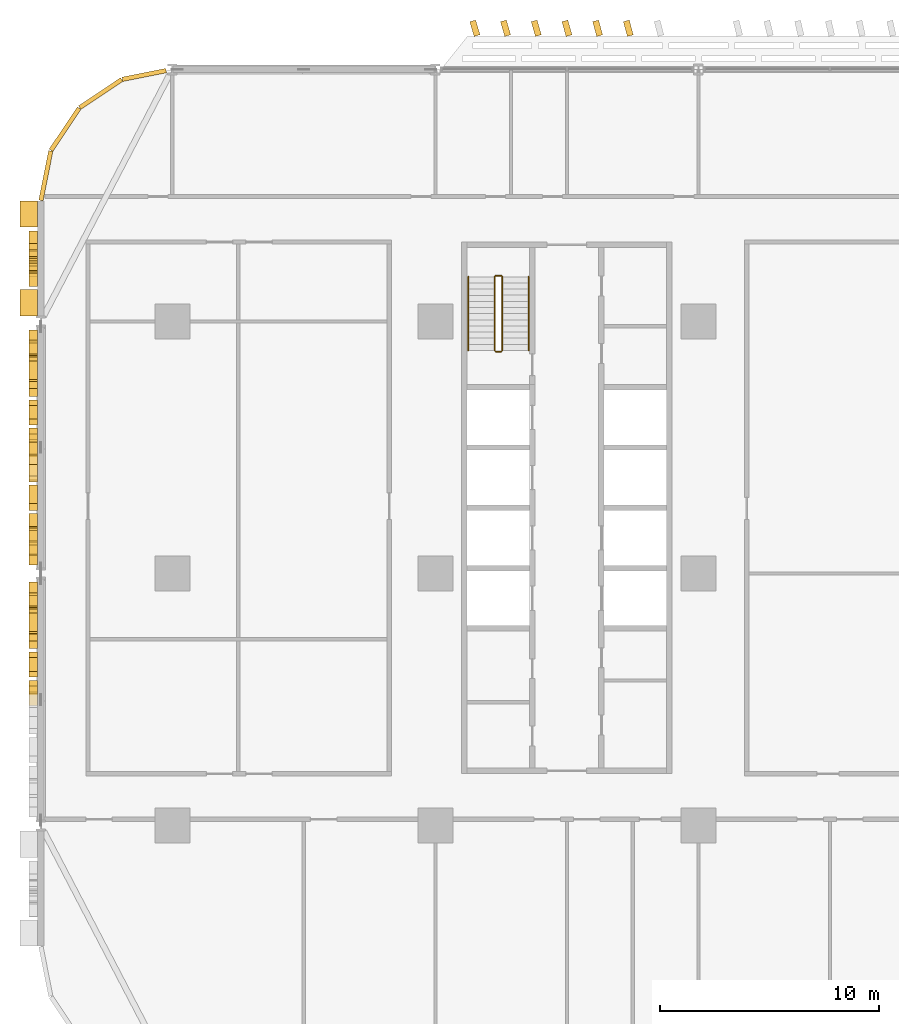
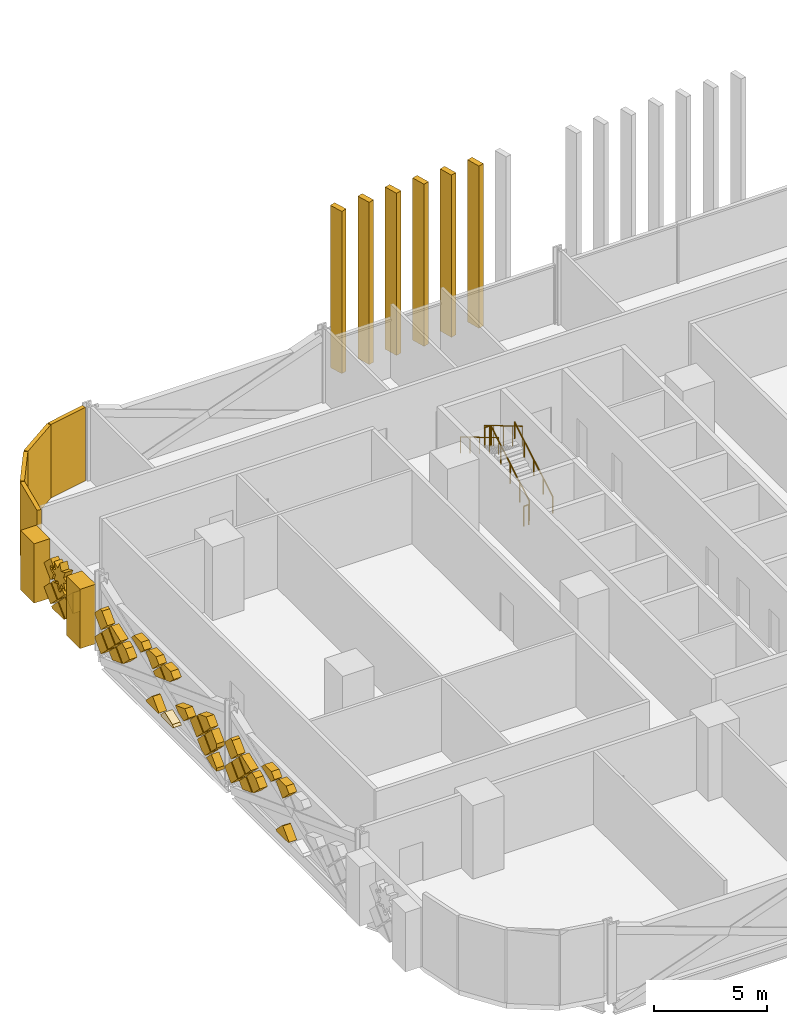
# One storey, part 25 of 31: 46 coverings, 6 railings.
"""IFC4 building model written with IfcOpenShell, lengths in metres."""

from ifc_helpers import new_model, si_unit, direction, frame, origin, origin_2d, place, context, subcontext, project, spatial, polyline, rectangle, circle, outline, extrude, material, layer, layer_set, type_object, element, save


model = new_model("IFC4")

# Units and contexts
model_context = context("Model", 3, precision=1e-05, world=origin(), true_north=direction((0.0, 1.0)))
body_context = subcontext(model_context, "Body", "Model", "MODEL_VIEW")
ifc_project = project(units=[si_unit("LENGTHUNIT", "METRE"), si_unit("AREAUNIT", "SQUARE_METRE"), si_unit("VOLUMEUNIT", "CUBIC_METRE"), si_unit("PLANEANGLEUNIT", "RADIAN"), si_unit("MASSUNIT", "GRAM", prefix="KILO")], contexts=[model_context])

# Site, building, storey
site_placement = place(None, origin())
site = spatial("IfcSite", under=ifc_project, at=site_placement, CompositionType="ELEMENT")
building_placement = place(site_placement, origin())
building = spatial("IfcBuilding", under=site, at=building_placement, Name="Mahtab Terrace Research Tower", CompositionType="ELEMENT")
storey_placement = place(building_placement, frame((0.0, 0.0, 11.5)))
storey = spatial("IfcBuildingStorey", under=building, at=storey_placement, Name="L02", CompositionType="ELEMENT", Elevation=11.5)

# Coverings
ifc_material_1 = material(Name="Black aluminium cladding panel", Category="aluminium")
ifc_layer_1 = layer(ifc_material_1, 0.199951171875)
ifc_layer_set_1 = layer_set([ifc_layer_1], Name="Black metal corner cladding 200")
covering_type_1 = type_object("IfcCoveringType", Name="Black metal corner cladding 200", PredefinedType="CLADDING", material=ifc_layer_set_1)
covering_1_placement = place(storey_placement, frame((-43.28173828125, 22.744873046875, 0.0), z_axis=(0.0, 0.0, 1.0), x_axis=(-0.980760981187, -0.195212442692, 0.0)))
element("IfcCovering", 1, at=covering_1_placement, inside=storey, type_object=covering_type_1, Name="Corner cladding L02 10", PredefinedType="CLADDING", context=body_context, shape_type="SweptSolid", body=[
    extrude(rectangle(XDim=2.0283203125, YDim=0.199951171875, at=origin_2d()), origin(), (0.0, 0.0, 1.0), 3.9599609375),
])
for number, where, z_axis, x_axis, name in (
    (2, (-45.26953125, 21.89306640625, 0.0), (0.0, 0.0, 1.0), (-0.831655794326, -0.555291490808, 0.0), "Corner cladding L02 11"),
    (3, (-46.89306640625, 20.26953125, 0.0), (0.0, 0.0, 1.0), (-0.555291490808, -0.831655794326, 0.0), "Corner cladding L02 12"),
    (4, (-47.771484375, 18.14794921875, 0.0), (0.0, 0.0, 1.0), (-0.195212442692, -0.980760981187, 0.0), "Corner cladding L02 13"),
):
    element("IfcCovering", number, at=place(storey_placement, frame(where, z_axis=z_axis, x_axis=x_axis)), inside=storey, type_object=covering_type_1, Name=name, PredefinedType="CLADDING", context=body_context, shape_type="SweptSolid", body=[
        extrude(rectangle(XDim=2.30126953125, YDim=0.199951171875, at=origin_2d()), origin(), (0.0, 0.0, 1.0), 3.9599609375),
    ])
ifc_material_2 = material(Name="Bronze anodised aluminium", Category="aluminium")
ifc_layer_2 = layer(ifc_material_2, 0.39990234375)
ifc_layer_set_2 = layer_set([ifc_layer_2], Name="Mashrabiya relief panel 400")
covering_type_2 = type_object("IfcCoveringType", Name="Mashrabiya relief panel 400", PredefinedType="CLADDING", material=ifc_layer_set_2)
covering_2_placement = place(storey_placement, frame((-48.14990234375, 14.10498046875, 2.60107421875), z_axis=(1.0, 0.0, 0.0), x_axis=(0.0, -0.924784909208, 0.380490304346)))
element("IfcCovering", 5, at=covering_2_placement, inside=storey, type_object=covering_type_2, Name="Girih star panel L02 W14.1", PredefinedType="CLADDING", context=body_context, shape_type="SweptSolid", body=[
    extrude(outline(polyline([(0.0, 0.0), (0.3785719822676483, 0.0), (0.11215445471266995, 0.26895807623038387), (0.37961207055159285, 0.5358142483447127), (0.0017974035497291263, 0.5371818243111587), (0.0017974035497291263, 0.9157538065788071), (-0.26716067268065474, 0.6493362790238286), (-0.5340168447949836, 0.9167938948627515), (-0.5353844207614296, 0.5389792278608878), (-0.9139564030290779, 0.5389792278608878), (-0.6475388754740995, 0.270021151630504), (-0.9149964913130224, 0.0031649795161750593), (-0.5371818243111587, 0.0017974035497291263), (-0.5371818243111587, -0.3767745787179192), (-0.2682237480807748, -0.11035705116294083), (-0.0013675759664459608, -0.3778146670018637), (0.0, 0.0)])), origin(), (0.0, 0.0, -1.0), 0.39990234375),
])
covering_3_placement = place(storey_placement, frame((-48.14990234375, 15.050048828125, 1.429931640625), z_axis=(1.0, 0.0, 0.0), x_axis=(0.0, -0.707255598772, -0.706957932274)))
element("IfcCovering", 6, at=covering_3_placement, inside=storey, type_object=covering_type_2, Name="Mashrabiya lattice cell L02 W14.2", PredefinedType="CLADDING", context=body_context, shape_type="SweptSolid", body=[
    extrude(outline(polyline([(0.0, 0.0), (0.8201817362875763, 0.0), (0.8200090664636573, 0.8203543334390104), (-0.00017259715143413956, 0.8200090664636573), (0.0, 0.0)])), origin(), (0.0, 0.0, -1.0), 0.39990234375),
])
covering_4_placement = place(storey_placement, frame((-48.14990234375, 15.050048828125, 1.570068359375), z_axis=(1.0, 0.0, 0.0), x_axis=(0.0, 0.707106781187, 0.707106781187)))
element("IfcCovering", 7, at=covering_4_placement, inside=storey, type_object=covering_type_2, Name="Mashrabiya lattice cell L02 W14.3", PredefinedType="CLADDING", context=body_context, shape_type="SweptSolid", body=[
    extrude(outline(polyline([(0.0, 0.0), (0.8200090846279543, 0.0), (0.820181718119455, 0.820181718119455), (0.4453944080716047, 0.8203543516109556), (0.5450039326674636, 0.5536356072424946), (0.5232521127383852, 0.47802213796522225), (0.4630030242046681, 0.42778579193854127), (0.37254307465834224, 0.4222615202105213), (0.13361832242148142, 0.5196268094168721), (0.035217232266126886, 0.28415472701002376), (-0.00017263349150062335, 0.24185952159237137), (0.0, 0.0)])), origin(), (0.0, 0.0, -1.0), 0.39990234375),
])
covering_5_placement = place(storey_placement, frame((-48.14990234375, 14.97998046875, 0.199951171875), z_axis=(1.0, 0.0, 0.0), x_axis=(0.0, -0.707106781187, 0.707106781187)))
element("IfcCovering", 8, at=covering_5_placement, inside=storey, type_object=covering_type_2, Name="Mashrabiya lattice cell L02 W14.4", PredefinedType="CLADDING", context=body_context, shape_type="SweptSolid", body=[
    extrude(outline(polyline([(0.0, 0.0), (0.8203543516109556, 0.0), (0.820181718119455, 0.820181718119455), (0.7283407006411241, 0.820181718119455), (0.0, 0.09184101747833089), (0.0, 0.0)])), origin(), (0.0, 0.0, -1.0), 0.39990234375),
])
covering_6_placement = place(storey_placement, frame((-48.14990234375, 13.820068359375, 1.5), z_axis=(1.0, 0.0, 0.0), x_axis=(0.0, 0.706957932274, -0.707255598772)))
element("IfcCovering", 9, at=covering_6_placement, inside=storey, type_object=covering_type_2, Name="Mashrabiya lattice cell L02 W14.5", PredefinedType="CLADDING", context=body_context, shape_type="SweptSolid", body=[
    extrude(outline(polyline([(0.0, 0.0), (0.8201817362875763, 0.0), (0.8200090664636573, 0.8203543334390104), (0.6080151435968424, 0.8203097125333344), (0.586621090792337, 0.7609192870785395), (0.5470963431139162, 0.7213778974010961), (0.30042529066822354, 0.6158469119403185), (0.3978408670772946, 0.3769426586366778), (0.3888849280662249, 0.2771586132750213), (0.334344518902972, 0.22121388101521539), (0.2573533990060128, 0.2049701272095052), (-0.00023662161055562625, 0.30400753546217874), (0.0, 0.0)])), origin(), (0.0, 0.0, -1.0), 0.39990234375),
])
covering_7_placement = place(storey_placement, frame((-48.14990234375, 13.75, 1.429931640625), z_axis=(1.0, 0.0, 0.0), x_axis=(0.0, -0.707255598772, -0.706957932274)))
element("IfcCovering", 10, at=covering_7_placement, inside=storey, type_object=covering_type_2, Name="Mashrabiya lattice cell L02 W14.6", PredefinedType="CLADDING", context=body_context, shape_type="SweptSolid", body=[
    extrude(outline(polyline([(0.0, 0.0), (0.8201817362875763, 0.0), (0.8200090664636573, 0.8203543334390104), (-0.0003452669753531423, 0.8201816636150915), (0.0, 0.0)])), origin(), (0.0, 0.0, -1.0), 0.39990234375),
])
covering_8_placement = place(storey_placement, frame((-48.14990234375, 13.10009765625, 0.919921875), z_axis=(1.0, 0.0, 0.0), x_axis=(0.0, 0.706957932274, 0.707255598772)))
element("IfcCovering", 11, at=covering_8_placement, inside=storey, type_object=covering_type_2, Name="Mashrabiya lattice cell L02 W14.7", PredefinedType="CLADDING", context=body_context, shape_type="SweptSolid", body=[
    extrude(outline(polyline([(0.0, 0.0), (0.8201817362875763, 0.0), (0.8205270032629295, 0.8201816636150915), (0.7977393828896235, 0.8201864599990892), (4.796383997748149e-06, 0.022787620373305846), (0.0, 0.0)])), origin(), (0.0, 0.0, -1.0), 0.39990234375),
])
covering_9_placement = place(storey_placement, frame((-48.14990234375, 10.60107421875, 1.429931640625), z_axis=(1.0, 0.0, 0.0), x_axis=(0.0, -0.707255598772, -0.706957932274)))
element("IfcCovering", 12, at=covering_9_placement, inside=storey, type_object=covering_type_2, Name="Mashrabiya lattice cell L02 W15.1", PredefinedType="CLADDING", context=body_context, shape_type="SweptSolid", body=[
    extrude(outline(polyline([(0.0, 0.0), (0.8201817362875763, 0.0), (0.8200090664636573, 0.8203543334390104), (0.09184101544392964, 0.8202010671685369), (-0.0001532662704735177, 0.7281680510197277), (0.0, 0.0)])), origin(), (0.0, 0.0, -1.0), 0.39990234375),
])
covering_10_placement = place(storey_placement, frame((-48.14990234375, 10.02099609375, 2.14990234375), z_axis=(1.0, 0.0, 0.0), x_axis=(0.0, 0.707255598772, -0.706957932274)))
element("IfcCovering", 13, at=covering_10_placement, inside=storey, type_object=covering_type_2, Name="Mashrabiya lattice cell L02 W15.2", PredefinedType="CLADDING", context=body_context, shape_type="SweptSolid", body=[
    extrude(outline(polyline([(0.0, 0.0), (0.8201817362875763, 0.0), (0.8203350025580498, 0.7281680510197277), (0.7283407208436468, 0.8202010671685369), (0.06093965748606789, 0.8203415430816832), (0.0001444002273262024, 0.6860454800266472), (0.0, 0.0)])), origin(), (0.0, 0.0, -1.0), 0.39990234375),
])
covering_11_placement = place(storey_placement, frame((-48.14990234375, 9.950927734375, 2.080078125), z_axis=(1.0, 0.0, 0.0), x_axis=(0.0, -0.706957932274, -0.707255598772)))
element("IfcCovering", 14, at=covering_11_placement, inside=storey, type_object=covering_type_2, Name="Mashrabiya lattice cell L02 W15.3", PredefinedType="CLADDING", context=body_context, shape_type="SweptSolid", body=[
    extrude(outline(polyline([(0.0, 0.0), (0.8201817362875763, 0.0), (0.8205270032629295, 0.8201816636150915), (0.00017266982391900276, 0.8203543334390104), (0.0, 0.0)])), origin(), (0.0, 0.0, -1.0), 0.39990234375),
])
covering_12_placement = place(storey_placement, frame((-48.14990234375, 9.881103515625, 0.85009765625), z_axis=(1.0, 0.0, 0.0), x_axis=(0.0, -0.707255598772, 0.706957932274)))
element("IfcCovering", 15, at=covering_12_placement, inside=storey, type_object=covering_type_2, Name="Mashrabiya lattice cell L02 W15.4", PredefinedType="CLADDING", context=body_context, shape_type="SweptSolid", body=[
    extrude(outline(polyline([(0.0, 0.0), (0.8201817362875763, 0.0), (0.8205171924774795, 0.7735706219424204), (8.430008238469178e-05, 0.4005096914096179), (0.0, 0.0)])), origin(), (0.0, 0.0, -1.0), 0.39990234375),
])
covering_13_placement = place(storey_placement, frame((-48.14990234375, 9.301025390625, 1.570068359375), z_axis=(1.0, 0.0, 0.0), x_axis=(0.0, 0.707255598772, 0.706957932274)))
element("IfcCovering", 16, at=covering_13_placement, inside=storey, type_object=covering_type_2, Name="Mashrabiya lattice cell L02 W15.5", PredefinedType="CLADDING", context=body_context, shape_type="SweptSolid", body=[
    extrude(outline(polyline([(0.0, 0.0), (0.8201817362875763, 0.0), (0.8201272319239655, 0.2589502315148392), (-0.00013306331969514806, 0.6321838318715607), (0.0, 0.0)])), origin(), (0.0, 0.0, -1.0), 0.39990234375),
])
covering_14_placement = place(storey_placement, frame((-48.14990234375, 9.23095703125, 1.5), z_axis=(1.0, 0.0, 0.0), x_axis=(0.0, -0.707106781187, 0.707106781187)))
element("IfcCovering", 17, at=covering_14_placement, inside=storey, type_object=covering_type_2, Name="Mashrabiya lattice cell L02 W15.6", PredefinedType="CLADDING", context=body_context, shape_type="SweptSolid", body=[
    extrude(outline(polyline([(0.0, 0.0), (0.6774138206484406, 0.0), (0.820181718119455, 0.3126392531076264), (0.820181718119455, 0.820181718119455), (-0.0001726334915006511, 0.81880065018745), (0.0, 0.0)])), origin(), (0.0, 0.0, -1.0), 0.39990234375),
])
covering_15_placement = place(storey_placement, frame((-48.14990234375, 6.77099609375, 2.800048828125), z_axis=(1.0, 0.0, 0.0), x_axis=(0.0, 0.707106781187, -0.707106781187)))
element("IfcCovering", 18, at=covering_15_placement, inside=storey, type_object=covering_type_2, Name="Mashrabiya lattice cell L02 W15.7", PredefinedType="CLADDING", context=body_context, shape_type="SweptSolid", body=[
    extrude(outline(polyline([(0.0, 0.0), (0.4243331221085288, 0.0), (0.7977393642243741, 0.820181718119455), (0.4412512042755897, 0.8203543516109556), (0.0, 0.3791031473353658), (0.0, 0.0)])), origin(), (0.0, 0.0, -1.0), 0.39990234375),
])
covering_16_placement = place(storey_placement, frame((-48.14990234375, 6.631103515625, 0.199951171875), z_axis=(1.0, 0.0, 0.0), x_axis=(0.0, -0.707271781012, 0.70694174285)))
element("IfcCovering", 19, at=covering_16_placement, inside=storey, type_object=covering_type_2, Name="Mashrabiya lattice cell L02 W15.8", PredefinedType="CLADDING", context=body_context, shape_type="SweptSolid", body=[
    extrude(outline(polyline([(0.0, 0.0), (0.7397345312240962, 0.0), (0.8203629508740169, 0.03675211825696212), (0.8205457771897919, 0.8201628813534925), (0.7287047622124111, 0.8201843144958443), (0.0001941069170129303, 0.09201360817631885), (0.0, 0.0)])), origin(), (0.0, 0.0, -1.0), 0.39990234375),
])
covering_17_placement = place(storey_placement, frame((-48.14990234375, 5.470947265625, 2.800048828125), z_axis=(1.0, 0.0, 0.0), x_axis=(0.0, 0.707106781187, -0.707106781187)))
element("IfcCovering", 20, at=covering_17_placement, inside=storey, type_object=covering_type_2, Name="Mashrabiya lattice cell L02 W15.9", PredefinedType="CLADDING", context=body_context, shape_type="SweptSolid", body=[
    extrude(outline(polyline([(0.0, 0.0), (0.8203543516109556, 0.0), (0.8203543516109556, 0.8203543516109556), (0.4412512042755897, 0.8203543516109556), (0.0, 0.3791031473353658), (0.0, 0.0)])), origin(), (0.0, 0.0, -1.0), 0.39990234375),
])
covering_18_placement = place(storey_placement, frame((-48.14990234375, 5.98095703125, 2.14990234375), z_axis=(1.0, 0.0, 0.0), x_axis=(0.0, -0.707106781187, 0.707106781187)))
element("IfcCovering", 21, at=covering_18_placement, inside=storey, type_object=covering_type_2, Name="Mashrabiya lattice cell L02 W15.10", PredefinedType="CLADDING", context=body_context, shape_type="SweptSolid", body=[
    extrude(outline(polyline([(0.0, 0.0), (0.8203543516109556, 0.0), (0.8203543516109556, 0.6107772929292005), (0.06163015646572205, 0.2649924094534547), (0.00017263349150060947, 0.12999301909996835), (0.0, 0.0)])), origin(), (0.0, 0.0, -1.0), 0.39990234375),
])
covering_19_placement = place(storey_placement, frame((-48.14990234375, 5.3310546875, 0.199951171875), z_axis=(1.0, 0.0, 0.0), x_axis=(0.0, -0.707106781187, 0.707106781187)))
element("IfcCovering", 22, at=covering_19_placement, inside=storey, type_object=covering_type_2, Name="Mashrabiya lattice cell L02 W15.11", PredefinedType="CLADDING", context=body_context, shape_type="SweptSolid", body=[
    extrude(outline(polyline([(0.0, 0.0), (0.5147930716548547, 0.0), (0.820181718119455, 0.6703358474969151), (0.8203543516109556, 0.8203543516109556), (0.7283407006411241, 0.820181718119455), (0.0, 0.09184101747833089), (0.0, 0.0)])), origin(), (0.0, 0.0, -1.0), 0.39990234375),
])
covering_20_placement = place(storey_placement, frame((-48.14990234375, 5.3310546875, 2.800048828125), z_axis=(1.0, 0.0, 0.0), x_axis=(0.0, -0.707106781187, 0.707106781187)))
element("IfcCovering", 23, at=covering_20_placement, inside=storey, type_object=covering_type_2, Name="Mashrabiya lattice cell L02 W15.12", PredefinedType="CLADDING", context=body_context, shape_type="SweptSolid", body=[
    extrude(outline(polyline([(0.0, 0.0), (0.3791031473353658, 0.0), (0.8203543516109556, 0.4412512042755897), (0.8203543516109556, 0.8203543516109556), (0.3606313637447992, 0.820181718119455), (0.0, 0.6563525346853647), (0.0, 0.0)])), origin(), (0.0, 0.0, -1.0), 0.39990234375),
])
covering_21_placement = place(storey_placement, frame((-48.14990234375, 4.031005859375, 1.5), z_axis=(1.0, 0.0, 0.0), x_axis=(0.0, -0.93702826663, 0.349253529024)))
element("IfcCovering", 24, at=covering_21_placement, inside=storey, type_object=covering_type_2, Name="Mashrabiya lattice cell L02 W15.13", PredefinedType="CLADDING", context=body_context, shape_type="SweptSolid", body=[
    extrude(outline(polyline([(0.0, 0.0), (0.9017558308712423, -5.551115123125783e-17), (1.086870433291092, 0.40510339755721136), (0.553242009378479, 0.6491381405892371), (0.12814522477591145, 0.2804320418748758), (0.0, 0.0)])), origin(), (0.0, 0.0, -1.0), 0.39990234375),
])
covering_22_placement = place(storey_placement, frame((-48.14990234375, 2.15087890625, 2.080078125), z_axis=(1.0, 0.0, 0.0), x_axis=(0.0, -0.706957932274, -0.707255598772)))
element("IfcCovering", 25, at=covering_22_placement, inside=storey, type_object=covering_type_2, Name="Mashrabiya lattice cell L02 W15.14", PredefinedType="CLADDING", context=body_context, shape_type="SweptSolid", body=[
    extrude(outline(polyline([(0.0, 0.0), (0.8201817362875763, 0.0), (0.8205270032629295, 0.8201816636150915), (0.00017266982391900276, 0.8203543334390104), (0.0, 0.0)])), origin(), (0.0, 0.0, -1.0), 0.39990234375),
])
covering_23_placement = place(storey_placement, frame((-48.14990234375, 2.0810546875, 0.85009765625), z_axis=(1.0, 0.0, 0.0), x_axis=(0.0, -0.707255598772, 0.706957932274)))
element("IfcCovering", 26, at=covering_23_placement, inside=storey, type_object=covering_type_2, Name="Mashrabiya lattice cell L02 W15.15", PredefinedType="CLADDING", context=body_context, shape_type="SweptSolid", body=[
    extrude(outline(polyline([(0.0, 0.0), (0.8201817362875763, 0.0), (0.8205270032629295, 0.8201816636150915), (0.15139960502858502, 0.8203225028906618), (-6.991093039140917e-05, 0.4880349059978759), (0.0, 0.0)])), origin(), (0.0, 0.0, -1.0), 0.39990234375),
])
covering_24_placement = place(storey_placement, frame((-48.14990234375, 0.9208984375, 2.14990234375), z_axis=(1.0, 0.0, 0.0), x_axis=(0.0, 0.707255598772, -0.706957932274)))
element("IfcCovering", 27, at=covering_24_placement, inside=storey, type_object=covering_type_2, Name="Mashrabiya lattice cell L02 W15.16", PredefinedType="CLADDING", context=body_context, shape_type="SweptSolid", body=[
    extrude(outline(polyline([(0.0, 0.0), (0.8201817362875763, 0.0), (0.8205270032629295, 0.8201816636150915), (0.64236924398072, 0.8202191626172557), (0.00011104355679636413, 0.5275679383395656), (0.0, 0.0)])), origin(), (0.0, 0.0, -1.0), 0.39990234375),
])
covering_25_placement = place(storey_placement, frame((-48.14990234375, 0.85107421875, 0.780029296875), z_axis=(1.0, 0.0, 0.0), x_axis=(0.0, -0.707106781187, -0.707106781187)))
element("IfcCovering", 28, at=covering_25_placement, inside=storey, type_object=covering_type_2, Name="Mashrabiya lattice cell L02 W15.17", PredefinedType="CLADDING", context=body_context, shape_type="SweptSolid", body=[
    extrude(outline(polyline([(0.0, 0.0), (0.6604957384813797, 0.0), (0.786345553785333, 0.1258498153039534), (0.5303300858899107, 0.3818652831993758), (0.0, 0.6235521713002465), (0.0, 0.0)])), origin(), (0.0, 0.0, -1.0), 0.39990234375),
])
covering_26_placement = place(storey_placement, frame((-48.14990234375, 0.85107421875, 0.919921875), z_axis=(1.0, 0.0, 0.0), x_axis=(0.0, 0.706957932274, 0.707255598772)))
element("IfcCovering", 29, at=covering_26_placement, inside=storey, type_object=covering_type_2, Name="Mashrabiya lattice cell L02 W15.18", PredefinedType="CLADDING", context=body_context, shape_type="SweptSolid", body=[
    extrude(outline(polyline([(0.0, 0.0), (0.8201817362875763, 0.0), (0.8205270032629295, 0.8201816636150915), (0.16003127941241302, 0.8203206860785415), (0.00013902246344993374, 0.6604957238505165), (0.0, 0.0)])), origin(), (0.0, 0.0, -1.0), 0.39990234375),
])
covering_27_placement = place(storey_placement, frame((-48.14990234375, -0.89892578125, 1.429931640625), z_axis=(1.0, 0.0, 0.0), x_axis=(0.0, -0.707255598772, -0.706957932274)))
element("IfcCovering", 30, at=covering_27_placement, inside=storey, type_object=covering_type_2, Name="Mashrabiya lattice cell L02 W16.1", PredefinedType="CLADDING", context=body_context, shape_type="SweptSolid", body=[
    extrude(outline(polyline([(0.0, 0.0), (0.8201817362875763, 0.0), (0.8200090664636573, 0.8203543334390104), (0.09184101544392964, 0.8202010671685369), (-0.0001532662704735177, 0.7281680510197277), (0.0, 0.0)])), origin(), (0.0, 0.0, -1.0), 0.39990234375),
])
covering_28_placement = place(storey_placement, frame((-48.14990234375, -1.47900390625, 2.14990234375), z_axis=(1.0, 0.0, 0.0), x_axis=(0.0, 0.707255598772, -0.706957932274)))
element("IfcCovering", 31, at=covering_28_placement, inside=storey, type_object=covering_type_2, Name="Mashrabiya lattice cell L02 W16.2", PredefinedType="CLADDING", context=body_context, shape_type="SweptSolid", body=[
    extrude(outline(polyline([(0.0, 0.0), (0.8201817362875763, 0.0), (0.8203350025580498, 0.7281680510197277), (0.7283407208436468, 0.8202010671685369), (0.06093965748606789, 0.8203415430816832), (0.0001444002273262024, 0.6860454800266472), (0.0, 0.0)])), origin(), (0.0, 0.0, -1.0), 0.39990234375),
])
covering_29_placement = place(storey_placement, frame((-48.14990234375, -1.549072265625, 2.080078125), z_axis=(1.0, 0.0, 0.0), x_axis=(0.0, -0.706957932274, -0.707255598772)))
element("IfcCovering", 32, at=covering_29_placement, inside=storey, type_object=covering_type_2, Name="Mashrabiya lattice cell L02 W16.3", PredefinedType="CLADDING", context=body_context, shape_type="SweptSolid", body=[
    extrude(outline(polyline([(0.0, 0.0), (0.8201817362875763, 0.0), (0.8205270032629295, 0.8201816636150915), (0.00017266982391900276, 0.8203543334390104), (0.0, 0.0)])), origin(), (0.0, 0.0, -1.0), 0.39990234375),
])
covering_30_placement = place(storey_placement, frame((-48.14990234375, -1.618896484375, 0.85009765625), z_axis=(1.0, 0.0, 0.0), x_axis=(0.0, -0.707255598772, 0.706957932274)))
element("IfcCovering", 33, at=covering_30_placement, inside=storey, type_object=covering_type_2, Name="Mashrabiya lattice cell L02 W16.4", PredefinedType="CLADDING", context=body_context, shape_type="SweptSolid", body=[
    extrude(outline(polyline([(0.0, 0.0), (0.8201817362875763, 0.0), (0.8205171924774795, 0.7735706219424204), (8.430008238469178e-05, 0.4005096914096179), (0.0, 0.0)])), origin(), (0.0, 0.0, -1.0), 0.39990234375),
])
covering_31_placement = place(storey_placement, frame((-48.14990234375, -2.198974609375, 1.570068359375), z_axis=(1.0, 0.0, 0.0), x_axis=(0.0, 0.707255598772, 0.706957932274)))
element("IfcCovering", 34, at=covering_31_placement, inside=storey, type_object=covering_type_2, Name="Mashrabiya lattice cell L02 W16.5", PredefinedType="CLADDING", context=body_context, shape_type="SweptSolid", body=[
    extrude(outline(polyline([(0.0, 0.0), (0.8201817362875763, 0.0), (0.8201272319239655, 0.2589502315148392), (-0.00013306331969514806, 0.6321838318715607), (0.0, 0.0)])), origin(), (0.0, 0.0, -1.0), 0.39990234375),
])
covering_32_placement = place(storey_placement, frame((-48.14990234375, -2.26904296875, 1.5), z_axis=(1.0, 0.0, 0.0), x_axis=(0.0, -0.707106781187, 0.707106781187)))
element("IfcCovering", 35, at=covering_32_placement, inside=storey, type_object=covering_type_2, Name="Mashrabiya lattice cell L02 W16.6", PredefinedType="CLADDING", context=body_context, shape_type="SweptSolid", body=[
    extrude(outline(polyline([(0.0, 0.0), (0.6774138206484406, 0.0), (0.820181718119455, 0.3126392531076264), (0.820181718119455, 0.820181718119455), (-0.0001726334915006511, 0.81880065018745), (0.0, 0.0)])), origin(), (0.0, 0.0, -1.0), 0.39990234375),
])
covering_33_placement = place(storey_placement, frame((-48.14990234375, -4.72900390625, 2.800048828125), z_axis=(1.0, 0.0, 0.0), x_axis=(0.0, 0.707106781187, -0.707106781187)))
element("IfcCovering", 36, at=covering_33_placement, inside=storey, type_object=covering_type_2, Name="Mashrabiya lattice cell L02 W16.7", PredefinedType="CLADDING", context=body_context, shape_type="SweptSolid", body=[
    extrude(outline(polyline([(0.0, 0.0), (0.4243331221085288, 0.0), (0.7977393642243741, 0.820181718119455), (0.4412512042755897, 0.8203543516109556), (0.0, 0.3791031473353658), (0.0, 0.0)])), origin(), (0.0, 0.0, -1.0), 0.39990234375),
])
covering_34_placement = place(storey_placement, frame((-48.14990234375, -4.868896484375, 0.199951171875), z_axis=(1.0, 0.0, 0.0), x_axis=(0.0, -0.707271781012, 0.70694174285)))
element("IfcCovering", 37, at=covering_34_placement, inside=storey, type_object=covering_type_2, Name="Mashrabiya lattice cell L02 W16.8", PredefinedType="CLADDING", context=body_context, shape_type="SweptSolid", body=[
    extrude(outline(polyline([(0.0, 0.0), (0.7397345312240962, 0.0), (0.8203629508740169, 0.03675211825696212), (0.8205457771897919, 0.8201628813534925), (0.7287047622124111, 0.8201843144958443), (0.0001941069170129303, 0.09201360817631885), (0.0, 0.0)])), origin(), (0.0, 0.0, -1.0), 0.39990234375),
])
covering_35_placement = place(storey_placement, frame((-48.14990234375, -6.029052734375, 2.800048828125), z_axis=(1.0, 0.0, 0.0), x_axis=(0.0, 0.707106781187, -0.707106781187)))
element("IfcCovering", 38, at=covering_35_placement, inside=storey, type_object=covering_type_2, Name="Mashrabiya lattice cell L02 W16.9", PredefinedType="CLADDING", context=body_context, shape_type="SweptSolid", body=[
    extrude(outline(polyline([(0.0, 0.0), (0.8203543516109556, 0.0), (0.8203543516109556, 0.8203543516109556), (0.4412512042755897, 0.8203543516109556), (0.0, 0.3791031473353658), (0.0, 0.0)])), origin(), (0.0, 0.0, -1.0), 0.39990234375),
])
ifc_material_3 = material(Name="Glazed ceramic tile cladding", Category="masonry")
ifc_layer_3 = layer(ifc_material_3, 0.800048828125)
ifc_layer_set_3 = layer_set([ifc_layer_3], Name="Pishtaq frame pier 800")
covering_type_3 = type_object("IfcCoveringType", Name="Pishtaq frame pier 800", PredefinedType="CLADDING", material=ifc_layer_set_3)
for number, where, z_axis, x_axis, name in (
    (39, (-48.550048828125, 16.39990234375, 0.00048828125), (0.0, 0.0, 1.0), (0.0, -1.0, 0.0), "Pishtaq frame pier 14a"),
    (40, (-48.550048828125, 12.34912109375, 0.00048828125), (0.0, 0.0, 1.0), (0.0, -1.0, 0.0), "Pishtaq frame pier 14b"),
):
    element("IfcCovering", number, at=place(storey_placement, frame(where, z_axis=z_axis, x_axis=x_axis)), inside=storey, type_object=covering_type_3, Name=name, PredefinedType="CLADDING", context=body_context, shape_type="SweptSolid", body=[
        extrude(rectangle(XDim=1.199951171875, YDim=0.800048828125, at=origin_2d()), origin(), (0.0, 0.0, 1.0), 3.202880859375),
    ])

# Railings
ifc_material_4 = material(Name="Stainless steel AISI 304", Category="steel")
railing_type_1 = type_object("IfcRailingType", Name="Stair guard 1100", PredefinedType="GUARDRAIL", material=ifc_material_4)
railing_1_placement = place(storey_placement, frame((-26.949951171875, 10.175048828125, 0.165283203125)))
element("IfcRailing", 41, at=railing_1_placement, inside=storey, type_object=railing_type_1, Name="L02 ST1 stair guard 1", PredefinedType="GUARDRAIL", context=body_context, shape_type="SweptSolid", body=[
    extrude(circle(Radius=0.02392578125, at=origin_2d()), frame((0.0, 0.0, 1.076171875), z_axis=(0.0, 0.861011212953, 0.508585972249), x_axis=(-1.0, 0.0, 0.0)), (0.0, 0.0, 1.0), 3.90234375),
    extrude(circle(Radius=0.02099609375, at=origin_2d()), origin(), (0.0, 0.0, 1.0), 1.052001953125),
    extrude(circle(Radius=0.02099609375, at=origin_2d()), frame((0.0, 0.83984375, 0.49609375)), (0.0, 0.0, 1.0), 1.052001953125),
    extrude(circle(Radius=0.02099609375, at=origin_2d()), frame((0.0, 1.679931640625, 0.9921875)), (0.0, 0.0, 1.0), 1.052001953125),
    extrude(circle(Radius=0.02099609375, at=origin_2d()), frame((0.0, 2.52001953125, 1.488525390625)), (0.0, 0.0, 1.0), 1.052001953125),
    extrude(circle(Radius=0.02099609375, at=origin_2d()), frame((0.0, 3.35986328125, 1.984619140625)), (0.0, 0.0, 1.0), 1.052001953125),
])
railing_2_placement = place(storey_placement, frame((-27.0, 13.5849609375, 2.14990234375)))
element("IfcRailing", 42, at=railing_2_placement, inside=storey, type_object=railing_type_1, Name="L02 ST1 stair guard 2", PredefinedType="GUARDRAIL", context=body_context, shape_type="SweptSolid", body=[
    extrude(circle(Radius=0.02392578125, at=origin_2d()), frame((0.0, 0.0, 1.076171875), z_axis=(-1.0, 0.0, 0.0), x_axis=(0.0, -1.0, 0.0)), (0.0, 0.0, 1.0), 0.25),
    extrude(circle(Radius=0.02099609375, at=origin_2d()), origin(), (0.0, 0.0, 1.0), 1.052001953125),
    extrude(circle(Radius=0.02099609375, at=origin_2d()), frame((-0.25, 0.0, 0.0)), (0.0, 0.0, 1.0), 1.052001953125),
])
railing_3_placement = place(storey_placement, frame((-27.300048828125, 13.534912109375, 2.3154296875)))
element("IfcRailing", 43, at=railing_3_placement, inside=storey, type_object=railing_type_1, Name="L02 ST1 stair guard 3", PredefinedType="GUARDRAIL", context=body_context, shape_type="SweptSolid", body=[
    extrude(circle(Radius=0.02392578125, at=origin_2d()), frame((0.0, 0.0, 1.076171875), z_axis=(0.0, -0.861011212953, 0.508585972249), x_axis=(1.0, 0.0, 0.0)), (0.0, 0.0, 1.0), 3.90234375),
    extrude(circle(Radius=0.02099609375, at=origin_2d()), origin(), (0.0, 0.0, 1.0), 1.052001953125),
    extrude(circle(Radius=0.02099609375, at=origin_2d()), frame((0.0, -0.83984375, 0.49609375)), (0.0, 0.0, 1.0), 1.052001953125),
    extrude(circle(Radius=0.02099609375, at=origin_2d()), frame((0.0, -1.679931640625, 0.9921875)), (0.0, 0.0, 1.0), 1.052001953125),
    extrude(circle(Radius=0.02099609375, at=origin_2d()), frame((0.0, -2.52001953125, 1.488525390625)), (0.0, 0.0, 1.0), 1.052001953125),
    extrude(circle(Radius=0.02099609375, at=origin_2d()), frame((0.0, -3.35986328125, 1.984619140625)), (0.0, 0.0, 1.0), 1.052001953125),
])
railing_4_placement = place(storey_placement, frame((-27.0, 10.125, 0.0)))
element("IfcRailing", 44, at=railing_4_placement, inside=storey, type_object=railing_type_1, Name="L02 ST1 stair guard 4", PredefinedType="GUARDRAIL", context=body_context, shape_type="SweptSolid", body=[
    extrude(circle(Radius=0.02392578125, at=origin_2d()), frame((0.0, 0.0, 1.076171875), z_axis=(-1.0, 0.0, 0.0), x_axis=(0.0, -1.0, 0.0)), (0.0, 0.0, 1.0), 0.25),
    extrude(circle(Radius=0.02099609375, at=origin_2d()), origin(), (0.0, 0.0, 1.0), 1.052001953125),
    extrude(circle(Radius=0.02099609375, at=origin_2d()), frame((-0.25, 0.0, 0.0)), (0.0, 0.0, 1.0), 1.052001953125),
])
railing_type_2 = type_object("IfcRailingType", Name="Stair handrail 900", PredefinedType="HANDRAIL", material=ifc_material_4)
railing_5_placement = place(storey_placement, frame((-25.75, 10.175048828125, 0.165283203125)))
element("IfcRailing", 45, at=railing_5_placement, inside=storey, type_object=railing_type_2, Name="L02 ST1 stair handrail 1", PredefinedType="HANDRAIL", context=body_context, shape_type="SweptSolid", body=[
    extrude(circle(Radius=0.02392578125, at=origin_2d()), frame((0.0, 0.0, 0.8759765625), z_axis=(0.0, 0.861011212953, 0.508585972249), x_axis=(-1.0, 0.0, 0.0)), (0.0, 0.0, 1.0), 3.90234375),
    extrude(circle(Radius=0.02099609375, at=origin_2d()), origin(), (0.0, 0.0, 1.0), 0.851806640625),
    extrude(circle(Radius=0.02099609375, at=origin_2d()), frame((0.0, 0.83984375, 0.49609375)), (0.0, 0.0, 1.0), 0.851806640625),
    extrude(circle(Radius=0.02099609375, at=origin_2d()), frame((0.0, 1.679931640625, 0.9921875)), (0.0, 0.0, 1.0), 0.851806640625),
    extrude(circle(Radius=0.02099609375, at=origin_2d()), frame((0.0, 2.52001953125, 1.488525390625)), (0.0, 0.0, 1.0), 0.851806640625),
    extrude(circle(Radius=0.02099609375, at=origin_2d()), frame((0.0, 3.35986328125, 1.984619140625)), (0.0, 0.0, 1.0), 0.851806640625),
])
railing_6_placement = place(storey_placement, frame((-28.5, 13.534912109375, 2.3154296875)))
element("IfcRailing", 46, at=railing_6_placement, inside=storey, type_object=railing_type_2, Name="L02 ST1 stair handrail 2", PredefinedType="HANDRAIL", context=body_context, shape_type="SweptSolid", body=[
    extrude(circle(Radius=0.02392578125, at=origin_2d()), frame((0.0, 0.0, 0.8759765625), z_axis=(0.0, -0.861011212953, 0.508585972249), x_axis=(1.0, 0.0, 0.0)), (0.0, 0.0, 1.0), 3.90234375),
    extrude(circle(Radius=0.02099609375, at=origin_2d()), origin(), (0.0, 0.0, 1.0), 0.851806640625),
    extrude(circle(Radius=0.02099609375, at=origin_2d()), frame((0.0, -0.83984375, 0.49609375)), (0.0, 0.0, 1.0), 0.851806640625),
    extrude(circle(Radius=0.02099609375, at=origin_2d()), frame((0.0, -1.679931640625, 0.9921875)), (0.0, 0.0, 1.0), 0.851806640625),
    extrude(circle(Radius=0.02099609375, at=origin_2d()), frame((0.0, -2.52001953125, 1.488525390625)), (0.0, 0.0, 1.0), 0.851806640625),
    extrude(circle(Radius=0.02099609375, at=origin_2d()), frame((0.0, -3.35986328125, 1.984619140625)), (0.0, 0.0, 1.0), 0.851806640625),
])

# Coverings
ifc_layer_4 = layer(ifc_material_2, 0.1201171875)
ifc_layer_set_4 = layer_set([ifc_layer_4], Name="Vertical fin 700")
covering_type_4 = type_object("IfcCoveringType", Name="Vertical fin 700", PredefinedType="CLADDING", material=ifc_layer_set_4)
for number, where, z_axis, x_axis, name in (
    (47, (-21.199951171875, 24.874267578125, -0.14990234375), (0.0, 0.0, 1.0), (-0.965710385828, -0.259621745437, 0.0), "Fin L02 N2"),
    (48, (-22.60009765625, 24.87451171875, -0.14990234375), (0.0, 0.0, 1.0), (-0.964183633406, -0.265235595407, 0.0), "Fin L02 N3"),
    (49, (-24.0, 24.874755859375, -0.14990234375), (0.0, 0.0, 1.0), (-0.962624246951, -0.270840468138, 0.0), "Fin L02 N4"),
    (50, (-25.39990234375, 24.875, -0.14990234375), (0.0, 0.0, 1.0), (-0.961032279237, -0.276436173942, 0.0), "Fin L02 N5"),
    (51, (-26.800048828125, 24.875244140625, -0.14990234375), (0.0, 0.0, 1.0), (-0.959407784156, -0.282022523392, 0.0), "Fin L02 N6"),
    (52, (-28.199951171875, 24.87548828125, -0.14990234375), (0.0, 0.0, 1.0), (-0.957750816686, -0.287599327427, 0.0), "Fin L02 N7"),
):
    element("IfcCovering", number, at=place(storey_placement, frame(where, z_axis=z_axis, x_axis=x_axis)), inside=storey, type_object=covering_type_4, Name=name, PredefinedType="CLADDING", context=body_context, shape_type="SweptSolid", body=[
        extrude(rectangle(XDim=0.280029296875, YDim=0.699951171875, at=origin_2d()), origin(), (0.0, 0.0, 1.0), 8.75),
    ])

save(model, "model.ifc")
